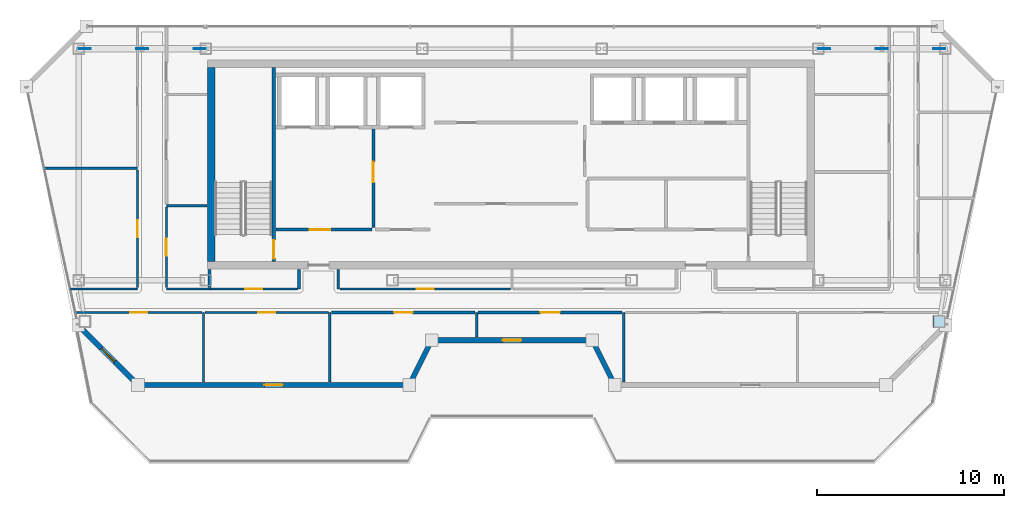
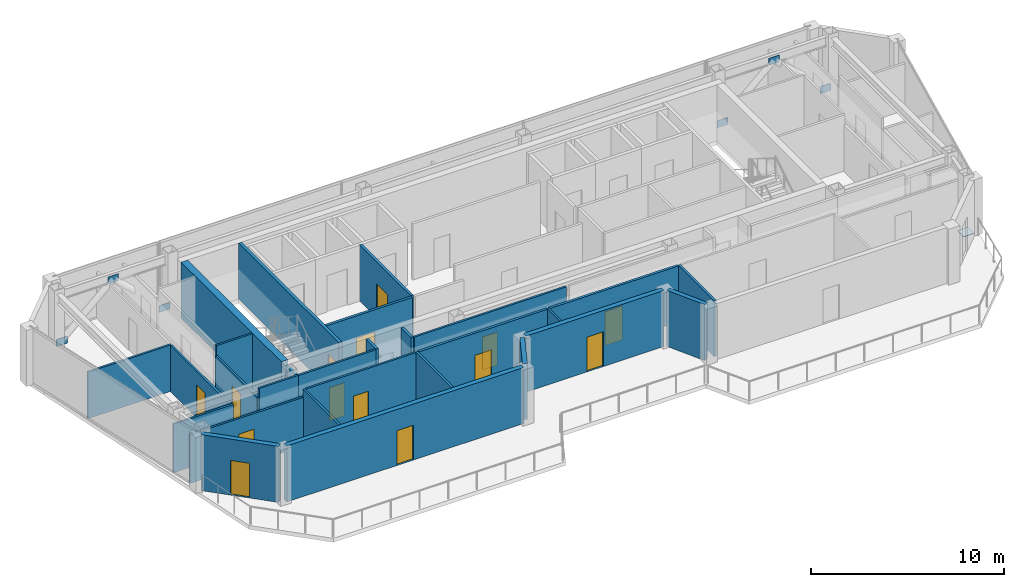
# One storey, part 11 of 17: 28 walls, 14 doors, 7 plates, 14 openings.
"""IFC4 building model written with IfcOpenShell, lengths in metres."""

from ifc_helpers import new_model, si_unit, direction, frame, frame_2d, origin, origin_2d, place, context, subcontext, project, spatial, rectangle, extrude, material, layer, layer_set, type_object, element, fill, save


model = new_model("IFC4")

# Units and contexts
model_context = context("Model", 3, precision=1e-05, world=origin(), true_north=direction((0.0, 1.0)))
body_context = subcontext(model_context, "Body", "Model", "MODEL_VIEW")
ifc_project = project(units=[si_unit("LENGTHUNIT", "METRE"), si_unit("AREAUNIT", "SQUARE_METRE"), si_unit("VOLUMEUNIT", "CUBIC_METRE"), si_unit("PLANEANGLEUNIT", "RADIAN"), si_unit("MASSUNIT", "GRAM", prefix="KILO")], contexts=[model_context])

# Site, building, storey
site_placement = place(None, origin())
site = spatial("IfcSite", under=ifc_project, at=site_placement, CompositionType="ELEMENT")
building_placement = place(site_placement, origin())
building = spatial("IfcBuilding", under=site, at=building_placement, Name="Saevonmaru Cultural Tower", CompositionType="ELEMENT")
storey_placement = place(building_placement, frame((0.0, 0.0, 310.39990234375)))
storey = spatial("IfcBuildingStorey", under=building, at=storey_placement, Name="L74", CompositionType="ELEMENT", Elevation=310.39990234375)

# Plates
ifc_material_1 = material(Name="Steel HSA600 (600 MPa)", Category="steel")
ifc_layer_1 = layer(ifc_material_1, 0.0400390625, Name="Steel HSA600 (600 MPa)")
ifc_layer_set_1 = layer_set([ifc_layer_1], Name="Steel HSA600 (600 MPa)")
plate_type_1 = type_object("IfcPlateType", Name="PL-CAP-600", PredefinedType="USERDEFINED", material=ifc_layer_set_1)
plate_placement = place(storey_placement, frame((52.867919921875, 40.199951171875, -0.034912109375), z_axis=(0.0, 0.0, 1.0), x_axis=(1.0, 0.0, 0.0)))
element("IfcPlate", 1, at=plate_placement, inside=storey, type_object=plate_type_1, Name="Column base cap plate TC-EO-Y402", ObjectType="CAP_PLATE", PredefinedType="USERDEFINED", context=body_context, shape_type="SweptSolid", body=[
    extrude(rectangle(XDim=0.639892578125, YDim=0.639892578125, at=origin_2d()), origin(), (0.0, 0.0, 1.0), 0.0400390625),
])
ifc_layer_2 = layer(ifc_material_1, 0.0400390625, Name="Steel HSA600 (600 MPa)")
ifc_layer_set_2 = layer_set([ifc_layer_2], Name="Steel HSA600 (600 MPa)")
plate_type_2 = type_object("IfcPlateType", Name="PL-GUSSET-EXT", PredefinedType="USERDEFINED", material=ifc_layer_set_2)
for number, where, z_axis, x_axis, name in (
    (2, (10.199951171875, 54.800048828125, 2.900146484375), (0.0, 0.0, 1.0), (1.0, 0.0, 0.0), "L74 Perimeter Tube Gusset Plate"),
    (3, (7.1201171875, 54.800048828125, 0.02001953125), (0.0, 0.0, 1.0), (1.0, 0.0, 0.0), "L74 Perimeter Tube Gusset Plate"),
    (4, (13.280029296875, 54.800048828125, 0.02001953125), (0.0, 0.0, 1.0), (1.0, 0.0, 0.0), "L74 Perimeter Tube Gusset Plate"),
    (5, (49.800048828125, 54.800048828125, 2.900146484375), (0.0, 0.0, 1.0), (1.0, 0.0, 0.0), "L74 Perimeter Tube Gusset Plate"),
    (6, (46.719970703125, 54.800048828125, 0.02001953125), (0.0, 0.0, 1.0), (1.0, 0.0, 0.0), "L74 Perimeter Tube Gusset Plate"),
    (7, (52.8798828125, 54.800048828125, 0.02001953125), (0.0, 0.0, 1.0), (1.0, 0.0, 0.0), "L74 Perimeter Tube Gusset Plate"),
):
    element("IfcPlate", number, at=place(storey_placement, frame(where, z_axis=z_axis, x_axis=x_axis)), inside=storey, type_object=plate_type_2, Name=name, ObjectType="GUSSET_PLATE", PredefinedType="USERDEFINED", context=body_context, shape_type="SweptSolid", body=[
        extrude(rectangle(XDim=0.639892578125, YDim=0.0400390625, at=origin_2d()), origin(), (0.0, 0.0, 1.0), 0.43994140625),
    ])

# Wall
ifc_material_2 = material(Name="Concrete C50/60", Category="concrete")
ifc_layer_3 = layer(ifc_material_2, 0.39990234375, Name="Concrete C50/60")
ifc_layer_set_3 = layer_set([ifc_layer_3], Name="Concrete C50/60")
wall_type_1 = type_object("IfcWallType", Name="WL-CORE-400", PredefinedType="SHEAR", material=ifc_layer_set_3)
wall_1_placement = place(storey_placement, frame((13.89990234375, 43.39990234375, 0.0), z_axis=(0.0, 0.0, 1.0), x_axis=(0.0, 1.0, 0.0)))
element("IfcWall", 8, at=wall_1_placement, inside=storey, type_object=wall_type_1, Name="L74 Tower RC core shear wall W", PredefinedType="SHEAR", context=body_context, shape_type="SweptSolid", body=[
    extrude(rectangle(XDim=10.400146484375, YDim=0.39990234375, at=frame_2d((5.2001953125, 0.0))), origin(), (0.0, 0.0, 1.0), 3.550048828125),
])

# Wall, opening, door
ifc_material_3 = material(Name="Gypsum Fireboard Partition", Category="gypsum")
ifc_layer_4 = layer(ifc_material_3, 0.14990234375, Name="Gypsum Fireboard Partition")
ifc_layer_set_4 = layer_set([ifc_layer_4], Name="Gypsum Fireboard Partition")
wall_type_2 = type_object("IfcWallType", Name="WL-CORE-PART-150", PredefinedType="PARTITIONING", material=ifc_layer_set_4)
wall_2_placement = place(storey_placement, frame((17.360107421875, 45.1201171875, 0.0), z_axis=(0.0, 0.0, 1.0), x_axis=(1.0, 0.0, 0.0)))
wall_2 = element("IfcWall", 9, at=wall_2_placement, inside=storey, type_object=wall_type_2, Name="L74 Firefighting Lift Lobby South Wall", PredefinedType="PARTITIONING", context=body_context, shape_type="SweptSolid", body=[
    extrude(rectangle(XDim=5.139892578125, YDim=0.14990234375, at=frame_2d((2.56982421875, 0.0))), origin(), (0.0, 0.0, 1.0), 3.550048828125),
])
opening_1_placement = place(wall_2_placement, frame((1.800048828125, 0.0, 0.0)))
opening_1 = element("IfcOpeningElement", 10, at=opening_1_placement, cuts=wall_2, Name="Opening FD-2", PredefinedType="OPENING", context=body_context, shape_type="SweptSolid", body=[
    extrude(rectangle(XDim=1.10009765625, YDim=2.14990234375, at=frame_2d((0.550048828125, 1.074951171875))), frame((0.0, 0.0849609375, 0.0), z_axis=(0.0, -1.0, 0.0), x_axis=(1.0, 0.0, 0.0)), (0.0, 0.0, 1.0), 0.169921875),
])
ifc_material_4 = material(Name="Satin Bronze Anodised Aluminium", Category="aluminium")
door_type_1 = type_object("IfcDoorType", Name="DR-FD60-1100", OperationType="SINGLE_SWING_LEFT", PredefinedType="DOOR", material=ifc_material_4)
door_1_placement = place(opening_1_placement, origin())
door_1 = element("IfcDoor", 11, at=door_1_placement, inside=storey, type_object=door_type_1, Name="L74 Firefighting Lift Lobby South Door", OperationType="SINGLE_SWING_LEFT", OverallHeight=2.14990234375, OverallWidth=1.10009765625, PredefinedType="DOOR", context=body_context, shape_type="SweptSolid", body=[
    extrude(rectangle(XDim=1.10009765625, YDim=2.14990234375, at=frame_2d((0.550048828125, 1.074951171875))), frame((0.0, 0.02490234375, 0.0), z_axis=(0.0, -1.0, 0.0), x_axis=(1.0, 0.0, 0.0)), (0.0, 0.0, 1.0), 0.050048828125),
])
fill(opening_1, door_1)

wall_3_placement = place(storey_placement, frame((22.580078125, 50.550048828125, 0.0), z_axis=(0.0, 0.0, 1.0), x_axis=(0.0, -1.0, 0.0)))
wall_3 = element("IfcWall", 12, at=wall_3_placement, inside=storey, type_object=wall_type_2, Name="L74 Firefighting Lift Lobby East Wall", PredefinedType="PARTITIONING", context=body_context, shape_type="SweptSolid", body=[
    extrude(rectangle(XDim=5.330078125, YDim=0.14990234375, at=frame_2d((2.6650390625, 0.0))), origin(), (0.0, 0.0, 1.0), 3.550048828125),
])
opening_2_placement = place(wall_3_placement, frame((1.800048828125, 0.0, 0.0)))
opening_2 = element("IfcOpeningElement", 13, at=opening_2_placement, cuts=wall_3, Name="Opening FD-2", PredefinedType="OPENING", context=body_context, shape_type="SweptSolid", body=[
    extrude(rectangle(XDim=1.10009765625, YDim=2.14990234375, at=frame_2d((0.550048828125, 1.074951171875))), frame((0.0, 0.0849609375, 0.0), z_axis=(0.0, -1.0, 0.0), x_axis=(1.0, 0.0, 0.0)), (0.0, 0.0, 1.0), 0.169921875),
])
door_2_placement = place(opening_2_placement, origin())
door_2 = element("IfcDoor", 14, at=door_2_placement, inside=storey, type_object=door_type_1, Name="L74 Firefighting Lift Lobby East Door", OperationType="SINGLE_SWING_LEFT", OverallHeight=2.14990234375, OverallWidth=1.10009765625, PredefinedType="DOOR", context=body_context, shape_type="SweptSolid", body=[
    extrude(rectangle(XDim=1.10009765625, YDim=2.14990234375, at=frame_2d((0.550048828125, 1.074951171875))), frame((0.0, 0.02490234375, 0.0), z_axis=(0.0, -1.0, 0.0), x_axis=(1.0, 0.0, 0.0)), (0.0, 0.0, 1.0), 0.050048828125),
])
fill(opening_2, door_2)

# Walls
ifc_material_5 = material(Name="Granite-Clad Precast Concrete C40/50", Category="masonry")
ifc_layer_5 = layer(ifc_material_5, 0.260009765625, Name="Granite-Clad Precast Concrete C40/50")
ifc_layer_set_5 = layer_set([ifc_layer_5], Name="Granite-Clad Precast Concrete C40/50")
wall_type_3 = type_object("IfcWallType", Name="WL-EXT-SPANDREL-260", PredefinedType="STANDARD", material=ifc_layer_set_5)
for number, where, z_axis, x_axis, name in (
    (15, (24.571533203125, 36.943115234375, 0.0), (0.0, 0.0, 1.0), (0.4472135955, 0.894427191, 0.0), "L74 Chamfer Corner Spandrel Wall E3"),
    (16, (34.37158203125, 39.056884765625, 0.0), (0.0, 0.0, 1.0), (0.4472135955, -0.894427191, 0.0), "L74 Chamfer Corner Spandrel Wall E5"),
):
    element("IfcWall", number, at=place(storey_placement, frame(where, z_axis=z_axis, x_axis=x_axis)), inside=storey, type_object=wall_type_3, Name=name, PredefinedType="STANDARD", context=body_context, shape_type="SweptSolid", body=[
        extrude(rectangle(XDim=2.36328125, YDim=0.260009765625, at=frame_2d((1.181640625, 0.0))), origin(), (0.0, 0.0, 1.0), 3.550048828125),
    ])

# Wall, opening, door
ifc_layer_6 = layer(ifc_material_5, 0.280029296875, Name="Granite-Clad Precast Concrete C40/50")
ifc_layer_set_6 = layer_set([ifc_layer_6], Name="Granite-Clad Precast Concrete C40/50")
wall_type_4 = type_object("IfcWallType", Name="WL-EXT-SPANDREL-280", PredefinedType="STANDARD", material=ifc_layer_set_6)
wall_4_placement = place(storey_placement, frame((6.886474609375, 39.886962890625, 0.0), z_axis=(0.0, 0.0, 1.0), x_axis=(0.70707775441, -0.707135806771, 0.0)))
wall_4 = element("IfcWall", 17, at=wall_4_placement, inside=storey, type_object=wall_type_4, Name="L74 Setback Terrace Portal Wall E1", PredefinedType="STANDARD", context=body_context, shape_type="SweptSolid", body=[
    extrude(rectangle(XDim=4.20556640625, YDim=0.280029296875, at=frame_2d((2.102783203125, 0.0))), origin(), (0.0, 0.0, 1.0), 3.550048828125),
])
opening_3_placement = place(wall_4_placement, frame((1.60302734375, 0.0, 0.0)))
opening_3 = element("IfcOpeningElement", 18, at=opening_3_placement, cuts=wall_4, Name="Opening TD-2", PredefinedType="OPENING", context=body_context, shape_type="SweptSolid", body=[
    extrude(rectangle(XDim=1.0, YDim=2.199951171875, at=frame_2d((0.5, 1.10009765625))), frame((0.0, 0.14990234375, 0.0), z_axis=(0.0, -1.0, 0.0), x_axis=(1.0, 0.0, 0.0)), (0.0, 0.0, 1.0), 0.300048828125),
])
door_type_2 = type_object("IfcDoorType", Name="DR-TERR-1000", OperationType="SINGLE_SWING_RIGHT", PredefinedType="DOOR", material=ifc_material_4)
door_3_placement = place(opening_3_placement, origin())
door_3 = element("IfcDoor", 19, at=door_3_placement, inside=storey, type_object=door_type_2, Name="L74 Sawtooth Roof Terrace Door E1", OperationType="SINGLE_SWING_LEFT", OverallHeight=2.199951171875, OverallWidth=1.0, PredefinedType="DOOR", context=body_context, shape_type="SweptSolid", body=[
    extrude(rectangle(XDim=1.0, YDim=2.199951171875, at=frame_2d((0.5, 1.10009765625))), frame((0.0, 0.02490234375, 0.0), z_axis=(0.0, -1.0, 0.0), x_axis=(1.0, 0.0, 0.0)), (0.0, 0.0, 1.0), 0.050048828125),
])
fill(opening_3, door_3)

wall_5_placement = place(storey_placement, frame((10.13330078125, 36.800048828125, 0.0), z_axis=(0.0, 0.0, 1.0), x_axis=(1.0, 0.0, 0.0)))
wall_5 = element("IfcWall", 20, at=wall_5_placement, inside=storey, type_object=wall_type_4, Name="L74 Setback Terrace Portal Wall E2", PredefinedType="STANDARD", context=body_context, shape_type="SweptSolid", body=[
    extrude(rectangle(XDim=14.206787109375, YDim=0.280029296875, at=frame_2d((7.103515625, 0.0))), origin(), (0.0, 0.0, 1.0), 3.550048828125),
])
opening_4_placement = place(wall_5_placement, frame((6.60302734375, 0.0, 0.0)))
opening_4 = element("IfcOpeningElement", 21, at=opening_4_placement, cuts=wall_5, Name="Opening TD-2", PredefinedType="OPENING", context=body_context, shape_type="SweptSolid", body=[
    extrude(rectangle(XDim=1.0, YDim=2.199951171875, at=frame_2d((0.5, 1.10009765625))), frame((0.0, 0.14990234375, 0.0), z_axis=(0.0, -1.0, 0.0), x_axis=(1.0, 0.0, 0.0)), (0.0, 0.0, 1.0), 0.300048828125),
])
door_4_placement = place(opening_4_placement, origin())
door_4 = element("IfcDoor", 22, at=door_4_placement, inside=storey, type_object=door_type_2, Name="L74 Sawtooth Roof Terrace Door E2", OperationType="SINGLE_SWING_RIGHT", OverallHeight=2.199951171875, OverallWidth=1.0, PredefinedType="DOOR", context=body_context, shape_type="SweptSolid", body=[
    extrude(rectangle(XDim=1.0, YDim=2.199951171875, at=frame_2d((0.5, 1.10009765625))), frame((0.0, 0.02490234375, 0.0), z_axis=(0.0, -1.0, 0.0), x_axis=(1.0, 0.0, 0.0)), (0.0, 0.0, 1.0), 0.050048828125),
])
fill(opening_4, door_4)

wall_6_placement = place(storey_placement, frame((25.860107421875, 39.199951171875, 0.0), z_axis=(0.0, 0.0, 1.0), x_axis=(1.0, 0.0, 0.0)))
wall_6 = element("IfcWall", 23, at=wall_6_placement, inside=storey, type_object=wall_type_4, Name="L74 Setback Terrace Portal Wall E4", PredefinedType="STANDARD", context=body_context, shape_type="SweptSolid", body=[
    extrude(rectangle(XDim=8.27978515625, YDim=0.280029296875, at=frame_2d((4.139892578125, 0.0))), origin(), (0.0, 0.0, 1.0), 3.550048828125),
])
opening_5_placement = place(wall_6_placement, frame((3.639892578125, 0.0, 0.0)))
opening_5 = element("IfcOpeningElement", 24, at=opening_5_placement, cuts=wall_6, Name="Opening TD-2", PredefinedType="OPENING", context=body_context, shape_type="SweptSolid", body=[
    extrude(rectangle(XDim=1.0, YDim=2.199951171875, at=frame_2d((0.5, 1.10009765625))), frame((0.0, 0.14990234375, 0.0), z_axis=(0.0, -1.0, 0.0), x_axis=(1.0, 0.0, 0.0)), (0.0, 0.0, 1.0), 0.300048828125),
])
door_5_placement = place(opening_5_placement, origin())
door_5 = element("IfcDoor", 25, at=door_5_placement, inside=storey, type_object=door_type_2, Name="L74 Sawtooth Roof Terrace Door E4", OperationType="SINGLE_SWING_RIGHT", OverallHeight=2.199951171875, OverallWidth=1.0, PredefinedType="DOOR", context=body_context, shape_type="SweptSolid", body=[
    extrude(rectangle(XDim=1.0, YDim=2.199951171875, at=frame_2d((0.5, 1.10009765625))), frame((0.0, 0.02490234375, 0.0), z_axis=(0.0, -1.0, 0.0), x_axis=(1.0, 0.0, 0.0)), (0.0, 0.0, 1.0), 0.050048828125),
])
fill(opening_5, door_5)

# Walls
ifc_layer_7 = layer(ifc_material_3, 0.14990234375, Name="Gypsum Fireboard Partition")
ifc_layer_set_7 = layer_set([ifc_layer_7], Name="Gypsum Fireboard Partition")
wall_type_5 = type_object("IfcWallType", Name="WL-PART-FIRE-150", PredefinedType="PARTITIONING", material=ifc_layer_set_7)
wall_7_placement = place(storey_placement, frame((13.800048828125, 42.02001953125, 0.0), z_axis=(0.0, 0.0, 1.0), x_axis=(0.0, 1.0, 0.0)))
element("IfcWall", 26, at=wall_7_placement, inside=storey, type_object=wall_type_5, Name="L74 Core Portal Side Wall W0", PredefinedType="PARTITIONING", context=body_context, shape_type="SweptSolid", body=[
    extrude(rectangle(XDim=0.9599609375, YDim=0.14990234375, at=frame_2d((0.47998046875, 0.0))), origin(), (0.0, 0.0, 1.0), 3.550048828125),
])
for number, where, z_axis, x_axis, name in (
    (27, (18.60009765625, 41.93994140625, 0.0), (0.0, 0.0, 1.0), (0.0, 1.0, 0.0), "L74 Core Portal Side Wall W1"),
    (28, (20.699951171875, 41.93994140625, 0.0), (0.0, 0.0, 1.0), (0.0, 1.0, 0.0), "L74 Core Portal Side Wall W2"),
):
    element("IfcWall", number, at=place(storey_placement, frame(where, z_axis=z_axis, x_axis=x_axis)), inside=storey, type_object=wall_type_5, Name=name, PredefinedType="PARTITIONING", context=body_context, shape_type="SweptSolid", body=[
        extrude(rectangle(XDim=1.0400390625, YDim=0.14990234375, at=frame_2d((0.52001953125, 0.0))), origin(), (0.0, 0.0, 1.0), 3.550048828125),
    ])

# Wall, opening, door
wall_8_placement = place(storey_placement, frame((20.33740234375, 40.679931640625, 0.0), z_axis=(0.0, 0.0, 1.0), x_axis=(1.0, 0.0, 0.0)))
wall_8 = element("IfcWall", 29, at=wall_8_placement, inside=storey, type_object=wall_type_5, Name="L74 Media Screening Auditorium Corridor Wall", PredefinedType="PARTITIONING", context=body_context, shape_type="SweptSolid", body=[
    extrude(rectangle(XDim=7.692626953125, YDim=0.14990234375, at=frame_2d((3.84619140625, 0.0))), origin(), (0.0, 0.0, 1.0), 3.550048828125),
])
opening_6_placement = place(wall_8_placement, frame((3.345947265625, 0.0, 0.0)))
opening_6 = element("IfcOpeningElement", 30, at=opening_6_placement, cuts=wall_8, Name="Opening ID-1B", PredefinedType="OPENING", context=body_context, shape_type="SweptSolid", body=[
    extrude(rectangle(XDim=1.0, YDim=2.14990234375, at=frame_2d((0.5, 1.074951171875))), frame((0.0, 0.0849609375, 0.0), z_axis=(0.0, -1.0, 0.0), x_axis=(1.0, 0.0, 0.0)), (0.0, 0.0, 1.0), 0.169921875),
])
ifc_material_6 = material(Name="Acoustic Stained Oak Timber", Category="wood")
door_type_3 = type_object("IfcDoorType", Name="DR-INT-1000", OperationType="SINGLE_SWING_RIGHT", PredefinedType="DOOR", material=ifc_material_6)
door_6_placement = place(opening_6_placement, origin())
door_6 = element("IfcDoor", 31, at=door_6_placement, inside=storey, type_object=door_type_3, Name="L74 Media Screening Auditorium Door", OperationType="SINGLE_SWING_LEFT", OverallHeight=2.14990234375, OverallWidth=1.0, PredefinedType="DOOR", context=body_context, shape_type="SweptSolid", body=[
    extrude(rectangle(XDim=1.0, YDim=2.14990234375, at=frame_2d((0.5, 1.074951171875))), frame((0.0, 0.02490234375, 0.0), z_axis=(0.0, -1.0, 0.0), x_axis=(1.0, 0.0, 0.0)), (0.0, 0.0, 1.0), 0.050048828125),
])
fill(opening_6, door_6)

wall_9_placement = place(storey_placement, frame((28.18994140625, 40.679931640625, 0.0), z_axis=(0.0, 0.0, 1.0), x_axis=(1.0, 0.0, 0.0)))
wall_9 = element("IfcWall", 32, at=wall_9_placement, inside=storey, type_object=wall_type_5, Name="L74 Visual Arts Critique Gallery Corridor Wall", PredefinedType="PARTITIONING", context=body_context, shape_type="SweptSolid", body=[
    extrude(rectangle(XDim=7.70263671875, YDim=0.14990234375, at=frame_2d((3.851318359375, 0.0))), origin(), (0.0, 0.0, 1.0), 3.550048828125),
])
opening_7_placement = place(wall_9_placement, frame((3.325927734375, 0.0, 0.0)))
opening_7 = element("IfcOpeningElement", 33, at=opening_7_placement, cuts=wall_9, Name="Opening ID-1", PredefinedType="OPENING", context=body_context, shape_type="SweptSolid", body=[
    extrude(rectangle(XDim=1.050048828125, YDim=2.14990234375, at=frame_2d((0.52490234375, 1.074951171875))), frame((0.0, 0.0849609375, 0.0), z_axis=(0.0, -1.0, 0.0), x_axis=(1.0, 0.0, 0.0)), (0.0, 0.0, 1.0), 0.169921875),
])
door_type_4 = type_object("IfcDoorType", Name="DR-INT-1050", OperationType="SINGLE_SWING_LEFT", PredefinedType="DOOR", material=ifc_material_4)
door_7_placement = place(opening_7_placement, origin())
door_7 = element("IfcDoor", 34, at=door_7_placement, inside=storey, type_object=door_type_4, Name="L74 Visual Arts Critique Gallery Door", OperationType="SINGLE_SWING_RIGHT", OverallHeight=2.14990234375, OverallWidth=1.050048828125, PredefinedType="DOOR", context=body_context, shape_type="SweptSolid", body=[
    extrude(rectangle(XDim=1.050048828125, YDim=2.14990234375, at=frame_2d((0.52490234375, 1.074951171875))), frame((0.0, 0.02490234375, 0.0), z_axis=(0.0, -1.0, 0.0), x_axis=(1.0, 0.0, 0.0)), (0.0, 0.0, 1.0), 0.050048828125),
])
fill(opening_7, door_7)

# Walls
ifc_layer_8 = layer(ifc_material_3, 0.1201171875, Name="Gypsum Fireboard Partition")
ifc_layer_set_8 = layer_set([ifc_layer_8], Name="Gypsum Fireboard Partition")
wall_type_6 = type_object("IfcWallType", Name="WL-PART-GYP-120", PredefinedType="PARTITIONING", material=ifc_layer_set_8)
wall_10_placement = place(storey_placement, frame((6.358154296875, 41.93994140625, 0.0), z_axis=(0.0, 0.0, 1.0), x_axis=(1.0, 0.0, 0.0)))
element("IfcWall", 35, at=wall_10_placement, inside=storey, type_object=wall_type_6, Name="L74 NW Wing South Wall", PredefinedType="PARTITIONING", context=body_context, shape_type="SweptSolid", body=[
    extrude(rectangle(XDim=3.591796875, YDim=0.1201171875, at=frame_2d((1.7958984375, 0.0))), origin(), (0.0, 0.0, 1.0), 3.085205078125),
])
wall_11_placement = place(storey_placement, frame((11.5, 41.93994140625, 0.0), z_axis=(0.0, 0.0, 1.0), x_axis=(1.0, 0.0, 0.0)))
element("IfcWall", 36, at=wall_11_placement, inside=storey, type_object=wall_type_6, Name="L74 NW Inner South Wall", PredefinedType="PARTITIONING", context=body_context, shape_type="SweptSolid", body=[
    extrude(rectangle(XDim=2.35009765625, YDim=0.1201171875, at=frame_2d((1.175048828125, 0.0))), origin(), (0.0, 0.0, 1.0), 3.550048828125),
])
wall_12_placement = place(storey_placement, frame((4.95849609375, 48.39990234375, 0.0), z_axis=(0.0, 0.0, 1.0), x_axis=(1.0, 0.0, 0.0)))
element("IfcWall", 37, at=wall_12_placement, inside=storey, type_object=wall_type_6, Name="L74 NW Studio Divider 1", PredefinedType="PARTITIONING", context=body_context, shape_type="SweptSolid", body=[
    extrude(rectangle(XDim=4.991455078125, YDim=0.1201171875, at=frame_2d((2.49560546875, 0.0))), origin(), (0.0, 0.0, 1.0), 2.947021484375),
])

# Wall, opening, door
wall_13_placement = place(storey_placement, frame((9.949951171875, 42.02001953125, 0.0), z_axis=(0.0, 0.0, 1.0), x_axis=(0.0, 1.0, 0.0)))
wall_13 = element("IfcWall", 38, at=wall_13_placement, inside=storey, type_object=wall_type_6, Name="L74 Digital Media Classroom Corridor Wall", PredefinedType="PARTITIONING", context=body_context, shape_type="SweptSolid", body=[
    extrude(rectangle(XDim=6.300048828125, YDim=0.1201171875, at=frame_2d((3.14990234375, 0.0))), origin(), (0.0, 0.0, 1.0), 2.947021484375),
])
opening_8_placement = place(wall_13_placement, frame((2.699951171875, 0.0, 0.0)))
opening_8 = element("IfcOpeningElement", 39, at=opening_8_placement, cuts=wall_13, Name="Opening ID-2", PredefinedType="OPENING", context=body_context, shape_type="SweptSolid", body=[
    extrude(rectangle(XDim=0.89990234375, YDim=2.10009765625, at=frame_2d((0.449951171875, 1.050048828125))), frame((0.0, 0.070068359375, 0.0), z_axis=(0.0, -1.0, 0.0), x_axis=(1.0, 0.0, 0.0)), (0.0, 0.0, 1.0), 0.14013671875),
])
door_type_5 = type_object("IfcDoorType", Name="DR-INT-900", OperationType="SINGLE_SWING_RIGHT", PredefinedType="DOOR", material=ifc_material_6)
door_8_placement = place(opening_8_placement, origin())
door_8 = element("IfcDoor", 40, at=door_8_placement, inside=storey, type_object=door_type_5, Name="L74 Digital Media Classroom Door", OperationType="SINGLE_SWING_RIGHT", OverallHeight=2.10009765625, OverallWidth=0.89990234375, PredefinedType="DOOR", context=body_context, shape_type="SweptSolid", body=[
    extrude(rectangle(XDim=0.89990234375, YDim=2.10009765625, at=frame_2d((0.449951171875, 1.050048828125))), frame((0.0, 0.02490234375, 0.0), z_axis=(0.0, -1.0, 0.0), x_axis=(1.0, 0.0, 0.0)), (0.0, 0.0, 1.0), 0.050048828125),
])
fill(opening_8, door_8)

# Wall
wall_14_placement = place(storey_placement, frame((11.5, 46.39990234375, 0.0), z_axis=(0.0, 0.0, 1.0), x_axis=(1.0, 0.0, 0.0)))
element("IfcWall", 41, at=wall_14_placement, inside=storey, type_object=wall_type_6, Name="L74 NW Inner Divider", PredefinedType="PARTITIONING", context=body_context, shape_type="SweptSolid", body=[
    extrude(rectangle(XDim=2.179931640625, YDim=0.1201171875, at=frame_2d((1.08984375, 0.0))), origin(), (0.0, 0.0, 1.0), 3.550048828125),
])

# Wall, opening, door
wall_15_placement = place(storey_placement, frame((11.5, 42.02001953125, 0.0), z_axis=(0.0, 0.0, 1.0), x_axis=(0.0, 1.0, 0.0)))
wall_15 = element("IfcWall", 42, at=wall_15_placement, inside=storey, type_object=wall_type_6, Name="L74 Design Seminar Classroom Corridor Wall", PredefinedType="PARTITIONING", context=body_context, shape_type="SweptSolid", body=[
    extrude(rectangle(XDim=4.300048828125, YDim=0.1201171875, at=frame_2d((2.14990234375, 0.0))), origin(), (0.0, 0.0, 1.0), 2.947021484375),
])
opening_9_placement = place(wall_15_placement, frame((1.699951171875, 0.0, 0.0)))
opening_9 = element("IfcOpeningElement", 43, at=opening_9_placement, cuts=wall_15, Name="Opening ID-2", PredefinedType="OPENING", context=body_context, shape_type="SweptSolid", body=[
    extrude(rectangle(XDim=0.89990234375, YDim=2.10009765625, at=frame_2d((0.449951171875, 1.050048828125))), frame((0.0, 0.070068359375, 0.0), z_axis=(0.0, -1.0, 0.0), x_axis=(1.0, 0.0, 0.0)), (0.0, 0.0, 1.0), 0.14013671875),
])
door_9_placement = place(opening_9_placement, origin())
door_9 = element("IfcDoor", 44, at=door_9_placement, inside=storey, type_object=door_type_5, Name="L74 Design Seminar Classroom Door", OperationType="SINGLE_SWING_RIGHT", OverallHeight=2.10009765625, OverallWidth=0.89990234375, PredefinedType="DOOR", context=body_context, shape_type="SweptSolid", body=[
    extrude(rectangle(XDim=0.89990234375, YDim=2.10009765625, at=frame_2d((0.449951171875, 1.050048828125))), frame((0.0, 0.02490234375, 0.0), z_axis=(0.0, -1.0, 0.0), x_axis=(1.0, 0.0, 0.0)), (0.0, 0.0, 1.0), 0.050048828125),
])
fill(opening_9, door_9)

wall_16_placement = place(storey_placement, frame((13.85009765625, 41.93994140625, 0.0), z_axis=(0.0, 0.0, 1.0), x_axis=(1.0, 0.0, 0.0)))
wall_16 = element("IfcWall", 45, at=wall_16_placement, inside=storey, type_object=wall_type_6, Name="L74 Digital Media Classroom Corridor Wall", PredefinedType="PARTITIONING", context=body_context, shape_type="SweptSolid", body=[
    extrude(rectangle(XDim=4.65478515625, YDim=0.1201171875, at=frame_2d((2.327392578125, 0.0))), origin(), (0.0, 0.0, 1.0), 3.550048828125),
])
opening_10_placement = place(wall_16_placement, frame((1.876953125, 0.0, 0.0)))
opening_10 = element("IfcOpeningElement", 46, at=opening_10_placement, cuts=wall_16, Name="Opening ID-2", PredefinedType="OPENING", context=body_context, shape_type="SweptSolid", body=[
    extrude(rectangle(XDim=0.89990234375, YDim=2.10009765625, at=frame_2d((0.449951171875, 1.050048828125))), frame((0.0, 0.070068359375, 0.0), z_axis=(0.0, -1.0, 0.0), x_axis=(1.0, 0.0, 0.0)), (0.0, 0.0, 1.0), 0.14013671875),
])
door_10_placement = place(opening_10_placement, origin())
door_10 = element("IfcDoor", 47, at=door_10_placement, inside=storey, type_object=door_type_5, Name="L74 Digital Media Classroom Door", OperationType="SINGLE_SWING_LEFT", OverallHeight=2.10009765625, OverallWidth=0.89990234375, PredefinedType="DOOR", context=body_context, shape_type="SweptSolid", body=[
    extrude(rectangle(XDim=0.89990234375, YDim=2.10009765625, at=frame_2d((0.449951171875, 1.050048828125))), frame((0.0, 0.02490234375, 0.0), z_axis=(0.0, -1.0, 0.0), x_axis=(1.0, 0.0, 0.0)), (0.0, 0.0, 1.0), 0.050048828125),
])
fill(opening_10, door_10)

wall_17_placement = place(storey_placement, frame((20.794921875, 41.93994140625, 0.0), z_axis=(0.0, 0.0, 1.0), x_axis=(1.0, 0.0, 0.0)))
wall_17 = element("IfcWall", 48, at=wall_17_placement, inside=storey, type_object=wall_type_6, Name="L74 Digital Media Classroom Corridor Wall", PredefinedType="PARTITIONING", context=body_context, shape_type="SweptSolid", body=[
    extrude(rectangle(XDim=9.125, YDim=0.1201171875, at=frame_2d((4.5625, 0.0))), origin(), (0.0, 0.0, 1.0), 3.550048828125),
])
opening_11_placement = place(wall_17_placement, frame((4.112060546875, 0.0, 0.0)))
opening_11 = element("IfcOpeningElement", 49, at=opening_11_placement, cuts=wall_17, Name="Opening ID-2", PredefinedType="OPENING", context=body_context, shape_type="SweptSolid", body=[
    extrude(rectangle(XDim=0.89990234375, YDim=2.10009765625, at=frame_2d((0.449951171875, 1.050048828125))), frame((0.0, 0.070068359375, 0.0), z_axis=(0.0, -1.0, 0.0), x_axis=(1.0, 0.0, 0.0)), (0.0, 0.0, 1.0), 0.14013671875),
])
door_11_placement = place(opening_11_placement, origin())
door_11 = element("IfcDoor", 50, at=door_11_placement, inside=storey, type_object=door_type_5, Name="L74 Digital Media Classroom Door", OperationType="SINGLE_SWING_RIGHT", OverallHeight=2.10009765625, OverallWidth=0.89990234375, PredefinedType="DOOR", context=body_context, shape_type="SweptSolid", body=[
    extrude(rectangle(XDim=0.89990234375, YDim=2.10009765625, at=frame_2d((0.449951171875, 1.050048828125))), frame((0.0, 0.02490234375, 0.0), z_axis=(0.0, -1.0, 0.0), x_axis=(1.0, 0.0, 0.0)), (0.0, 0.0, 1.0), 0.050048828125),
])
fill(opening_11, door_11)

# Walls
wall_18_placement = place(storey_placement, frame((13.489990234375, 36.9599609375, 0.0), z_axis=(0.0, 0.0, 1.0), x_axis=(0.0, 1.0, 0.0)))
element("IfcWall", 51, at=wall_18_placement, inside=storey, type_object=wall_type_6, Name="L74 Observatory Bay Divider 1", PredefinedType="PARTITIONING", context=body_context, shape_type="SweptSolid", body=[
    extrude(rectangle(XDim=3.719970703125, YDim=0.1201171875, at=frame_2d((1.85986328125, 0.0))), origin(), (0.0, 0.0, 1.0), 3.550048828125),
])
wall_19_placement = place(storey_placement, frame((28.110107421875, 39.360107421875, 0.0), z_axis=(0.0, 0.0, 1.0), x_axis=(0.0, 1.0, 0.0)))
element("IfcWall", 52, at=wall_19_placement, inside=storey, type_object=wall_type_6, Name="L74 Observatory Bay Divider 3", PredefinedType="PARTITIONING", context=body_context, shape_type="SweptSolid", body=[
    extrude(rectangle(XDim=1.31982421875, YDim=0.1201171875, at=frame_2d((0.659912109375, 0.0))), origin(), (0.0, 0.0, 1.0), 3.550048828125),
])

# Wall, opening, door
wall_20_placement = place(storey_placement, frame((6.631103515625, 40.679931640625, 0.0), z_axis=(0.0, 0.0, 1.0), x_axis=(1.0, 0.0, 0.0)))
wall_20 = element("IfcWall", 53, at=wall_20_placement, inside=storey, type_object=wall_type_6, Name="L74 Digital Media Classroom Corridor Wall", PredefinedType="PARTITIONING", context=body_context, shape_type="SweptSolid", body=[
    extrude(rectangle(XDim=6.77880859375, YDim=0.1201171875, at=frame_2d((3.389404296875, 0.0))), origin(), (0.0, 0.0, 1.0), 3.085205078125),
])
opening_12_placement = place(wall_20_placement, frame((2.93896484375, 0.0, 0.0)))
opening_12 = element("IfcOpeningElement", 54, at=opening_12_placement, cuts=wall_20, Name="Opening ID-2", PredefinedType="OPENING", context=body_context, shape_type="SweptSolid", body=[
    extrude(rectangle(XDim=0.89990234375, YDim=2.10009765625, at=frame_2d((0.449951171875, 1.050048828125))), frame((0.0, 0.070068359375, 0.0), z_axis=(0.0, -1.0, 0.0), x_axis=(1.0, 0.0, 0.0)), (0.0, 0.0, 1.0), 0.14013671875),
])
door_12_placement = place(opening_12_placement, origin())
door_12 = element("IfcDoor", 55, at=door_12_placement, inside=storey, type_object=door_type_5, Name="L74 Digital Media Classroom Door", OperationType="SINGLE_SWING_LEFT", OverallHeight=2.10009765625, OverallWidth=0.89990234375, PredefinedType="DOOR", context=body_context, shape_type="SweptSolid", body=[
    extrude(rectangle(XDim=0.89990234375, YDim=2.10009765625, at=frame_2d((0.449951171875, 1.050048828125))), frame((0.0, 0.02490234375, 0.0), z_axis=(0.0, -1.0, 0.0), x_axis=(1.0, 0.0, 0.0)), (0.0, 0.0, 1.0), 0.050048828125),
])
fill(opening_12, door_12)

wall_21_placement = place(storey_placement, frame((13.570068359375, 40.679931640625, 0.0), z_axis=(0.0, 0.0, 1.0), x_axis=(1.0, 0.0, 0.0)))
wall_21 = element("IfcWall", 56, at=wall_21_placement, inside=storey, type_object=wall_type_6, Name="L74 Design Seminar Classroom Corridor Wall", PredefinedType="PARTITIONING", context=body_context, shape_type="SweptSolid", body=[
    extrude(rectangle(XDim=6.592529296875, YDim=0.1201171875, at=frame_2d((3.29638671875, 0.0))), origin(), (0.0, 0.0, 1.0), 3.550048828125),
])
opening_13_placement = place(wall_21_placement, frame((2.845947265625, 0.0, 0.0)))
opening_13 = element("IfcOpeningElement", 57, at=opening_13_placement, cuts=wall_21, Name="Opening ID-2", PredefinedType="OPENING", context=body_context, shape_type="SweptSolid", body=[
    extrude(rectangle(XDim=0.89990234375, YDim=2.10009765625, at=frame_2d((0.449951171875, 1.050048828125))), frame((0.0, 0.070068359375, 0.0), z_axis=(0.0, -1.0, 0.0), x_axis=(1.0, 0.0, 0.0)), (0.0, 0.0, 1.0), 0.14013671875),
])
door_13_placement = place(opening_13_placement, origin())
door_13 = element("IfcDoor", 58, at=door_13_placement, inside=storey, type_object=door_type_5, Name="L74 Design Seminar Classroom Door", OperationType="SINGLE_SWING_RIGHT", OverallHeight=2.10009765625, OverallWidth=0.89990234375, PredefinedType="DOOR", context=body_context, shape_type="SweptSolid", body=[
    extrude(rectangle(XDim=0.89990234375, YDim=2.10009765625, at=frame_2d((0.449951171875, 1.050048828125))), frame((0.0, 0.02490234375, 0.0), z_axis=(0.0, -1.0, 0.0), x_axis=(1.0, 0.0, 0.0)), (0.0, 0.0, 1.0), 0.050048828125),
])
fill(opening_13, door_13)

# Walls
ifc_layer_9 = layer(ifc_material_3, 0.135009765625, Name="Gypsum Fireboard Partition")
ifc_layer_set_9 = layer_set([ifc_layer_9], Name="Gypsum Fireboard Partition")
wall_type_7 = type_object("IfcWallType", Name="WL-PART-GYP-135", PredefinedType="PARTITIONING", material=ifc_layer_set_9)
for number, where, z_axis, x_axis, name in (
    (59, (20.25, 36.9599609375, 0.0), (0.0, 0.0, 1.0), (0.0, 1.0, 0.0), "L74 Observatory Bay Divider 2"),
    (60, (35.97998046875, 36.9599609375, 0.0), (0.0, 0.0, 1.0), (0.0, 1.0, 0.0), "L74 Observatory Bay Divider 4"),
):
    element("IfcWall", number, at=place(storey_placement, frame(where, z_axis=z_axis, x_axis=x_axis)), inside=storey, type_object=wall_type_7, Name=name, PredefinedType="PARTITIONING", context=body_context, shape_type="SweptSolid", body=[
        extrude(rectangle(XDim=3.719970703125, YDim=0.135009765625, at=frame_2d((1.85986328125, 0.0))), origin(), (0.0, 0.0, 1.0), 3.550048828125),
    ])

# Wall, opening, door
ifc_material_7 = material(Name="Concrete C40/50", Category="concrete")
ifc_layer_10 = layer(ifc_material_7, 0.179931640625, Name="Concrete C40/50")
ifc_layer_set_10 = layer_set([ifc_layer_10], Name="Concrete C40/50")
wall_type_8 = type_object("IfcWallType", Name="WL-STSHAFT-180", PredefinedType="SHEAR", material=ifc_layer_set_10)
wall_22_placement = place(storey_placement, frame((17.239990234375, 43.39990234375, 0.0), z_axis=(0.0, 0.0, 1.0), x_axis=(0.0, 1.0, 0.0)))
wall_22 = element("IfcWall", 61, at=wall_22_placement, inside=storey, type_object=wall_type_8, Name="L74 Stair ST-1 Structural Shaft Wall 1", PredefinedType="SHEAR", context=body_context, shape_type="SweptSolid", body=[
    extrude(rectangle(XDim=10.400146484375, YDim=0.179931640625, at=frame_2d((5.2001953125, 0.0))), origin(), (0.0, 0.0, 1.0), 3.550048828125),
])
opening_14_placement = place(wall_22_placement, frame((0.159912109375, 0.0, 0.0)))
opening_14 = element("IfcOpeningElement", 62, at=opening_14_placement, cuts=wall_22, Name="Opening FD-3", PredefinedType="OPENING", context=body_context, shape_type="SweptSolid", body=[
    extrude(rectangle(XDim=1.0, YDim=2.14990234375, at=frame_2d((0.5, 1.074951171875))), frame((0.0, 0.10009765625, 0.0), z_axis=(0.0, -1.0, 0.0), x_axis=(1.0, 0.0, 0.0)), (0.0, 0.0, 1.0), 0.199951171875),
])
door_type_6 = type_object("IfcDoorType", Name="DR-FD60-1000", OperationType="SINGLE_SWING_RIGHT", PredefinedType="DOOR", material=ifc_material_4)
door_14_placement = place(opening_14_placement, origin())
door_14 = element("IfcDoor", 63, at=door_14_placement, inside=storey, type_object=door_type_6, Name="L74 Protected Stair ST-1 Fire Door", OperationType="SINGLE_SWING_RIGHT", OverallHeight=2.14990234375, OverallWidth=1.0, PredefinedType="DOOR", context=body_context, shape_type="SweptSolid", body=[
    extrude(rectangle(XDim=1.0, YDim=2.14990234375, at=frame_2d((0.5, 1.074951171875))), frame((0.0, 0.02490234375, 0.0), z_axis=(0.0, -1.0, 0.0), x_axis=(1.0, 0.0, 0.0)), (0.0, 0.0, 1.0), 0.050048828125),
])
fill(opening_14, door_14)

save(model, "model.ifc")
